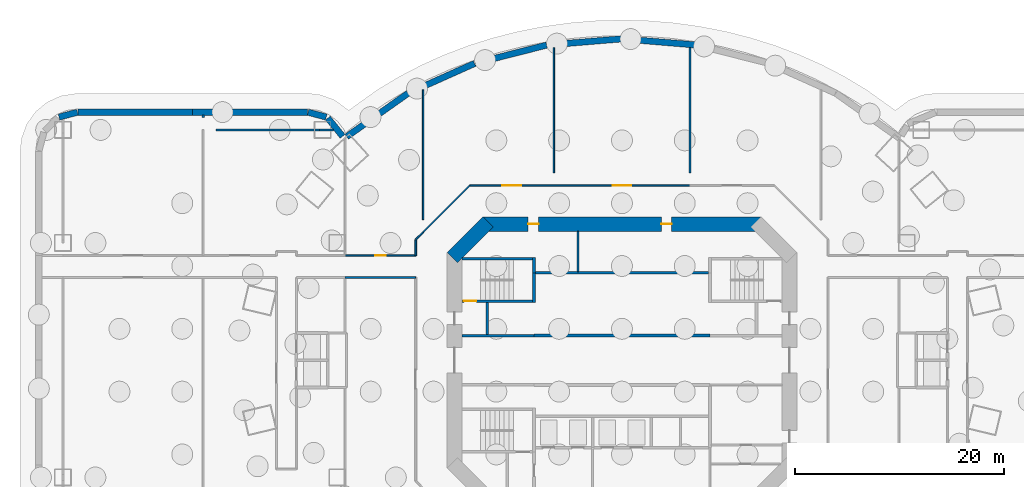
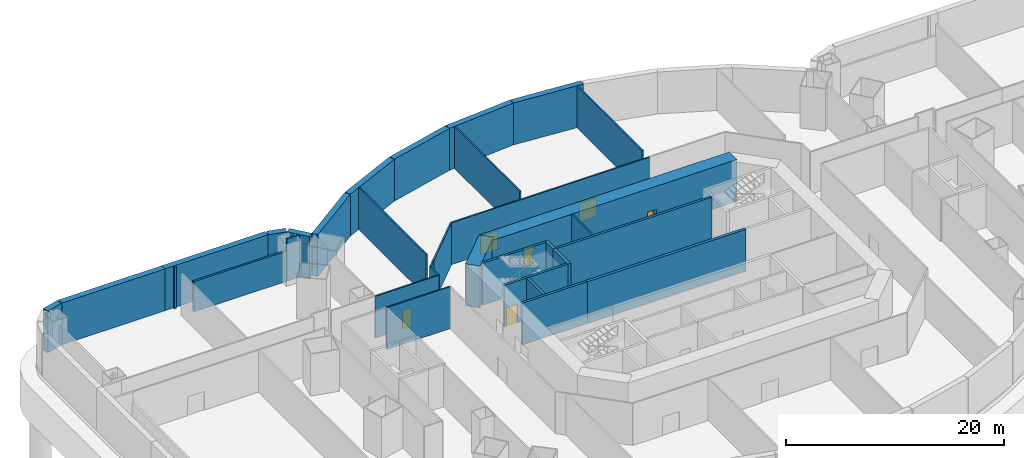
# One storey, part 4 of 9: 33 walls, 6 doors, 6 openings.
"""IFC4 building model written with IfcOpenShell, lengths in metres."""

from ifc_helpers import new_model, si_unit, direction, frame, frame_2d, origin, place, context, subcontext, project, spatial, rectangle, extrude, material, layer, layer_set, type_object, element, fill, save


model = new_model("IFC4")

# Units and contexts
model_context = context("Model", 3, precision=1e-05, world=origin(), true_north=direction((0.0, 1.0)))
body_context = subcontext(model_context, "Body", "Model", "MODEL_VIEW")
ifc_project = project(units=[si_unit("LENGTHUNIT", "METRE"), si_unit("AREAUNIT", "SQUARE_METRE"), si_unit("VOLUMEUNIT", "CUBIC_METRE"), si_unit("PLANEANGLEUNIT", "RADIAN"), si_unit("MASSUNIT", "GRAM", prefix="KILO")], contexts=[model_context])

# Site, building, storey
site_placement = place(None, origin())
site = spatial("IfcSite", under=ifc_project, at=site_placement, CompositionType="ELEMENT")
building_placement = place(site_placement, origin())
building = spatial("IfcBuilding", under=site, at=building_placement, Name="Marenthal Gate Tower", CompositionType="ELEMENT")
storey_placement = place(building_placement, frame((0.0, 0.0, -10.0)))
storey = spatial("IfcBuildingStorey", under=building, at=storey_placement, Name="B2", CompositionType="ELEMENT", Elevation=-10.0)

# Walls
ifc_material_1 = material(Name="Concrete 50 MPa", Category="concrete")
ifc_layer_1 = layer(ifc_material_1, 0.60009765625)
ifc_layer_set_1 = layer_set([ifc_layer_1], Name="BASEMENT WALL 600")
wall_type_1 = type_object("IfcWallType", Name="BASEMENT WALL 600", PredefinedType="SOLIDWALL", material=ifc_layer_set_1)
wall_1_placement = place(storey_placement, frame((7.1455078125, 30.110107421875, 0.0), z_axis=(0.0, 0.0, 1.0), x_axis=(-0.996609324414, 0.082279125491, 0.0)))
element("IfcWall", 1, at=wall_1_placement, inside=storey, type_object=wall_type_1, Name="BW-B2-30", PredefinedType="SOLIDWALL", context=body_context, shape_type="SweptSolid", body=[
    extrude(rectangle(XDim=7.14501953125, YDim=0.60009765625, at=frame_2d((3.572509765625, 0.0))), origin(), (0.0, 0.0, 1.0), 4.699951171875),
])
wall_2_placement = place(storey_placement, frame((-0.02294921875, 30.697998046875, 0.0), z_axis=(0.0, 0.0, 1.0), x_axis=(-0.99661235683, -0.082242386961, 0.0)))
element("IfcWall", 2, at=wall_2_placement, inside=storey, type_object=wall_type_1, Name="BW-B2-31", PredefinedType="SOLIDWALL", context=body_context, shape_type="SweptSolid", body=[
    extrude(rectangle(XDim=7.145263671875, YDim=0.60009765625, at=frame_2d((3.57275390625, 0.0))), origin(), (0.0, 0.0, 1.0), 4.699951171875),
])
wall_3_placement = place(storey_placement, frame((-7.191650390625, 30.1025390625, 0.0), z_axis=(0.0, 0.0, 1.0), x_axis=(-0.96919567172, -0.246292001332, 0.0)))
element("IfcWall", 3, at=wall_3_placement, inside=storey, type_object=wall_type_1, Name="BW-B2-32", PredefinedType="SOLIDWALL", context=body_context, shape_type="SweptSolid", body=[
    extrude(rectangle(XDim=7.061767578125, YDim=0.60009765625, at=frame_2d((3.53076171875, 0.0))), origin(), (0.0, 0.0, 1.0), 4.699951171875),
])
wall_4_placement = place(storey_placement, frame((-14.0830078125, 28.346923828125, 0.0), z_axis=(0.0, 0.0, 1.0), x_axis=(-0.912658583427, -0.40872277903, 0.0)))
element("IfcWall", 4, at=wall_4_placement, inside=storey, type_object=wall_type_1, Name="BW-B2-33", PredefinedType="SOLIDWALL", context=body_context, shape_type="SweptSolid", body=[
    extrude(rectangle(XDim=6.902587890625, YDim=0.60009765625, at=frame_2d((3.451171875, 0.0))), origin(), (0.0, 0.0, 1.0), 4.699951171875),
])
wall_5_placement = place(storey_placement, frame((-20.431884765625, 25.497802734375, 0.0), z_axis=(0.0, 0.0, 1.0), x_axis=(-0.816770877084, -0.576962160238, 0.0)))
element("IfcWall", 5, at=wall_5_placement, inside=storey, type_object=wall_type_1, Name="BW-B2-34", PredefinedType="SOLIDWALL", context=body_context, shape_type="SweptSolid", body=[
    extrude(rectangle(XDim=7.180419921875, YDim=0.60009765625, at=frame_2d((3.59033203125, 0.0))), origin(), (0.0, 0.0, 1.0), 4.699951171875),
])
wall_6_placement = place(storey_placement, frame((-26.683349609375, 21.38720703125, 0.0), z_axis=(0.0, 0.0, 1.0), x_axis=(-0.62890612744, 0.777481242776, 0.0)))
element("IfcWall", 6, at=wall_6_placement, inside=storey, type_object=wall_type_1, Name="BW-B2-35", PredefinedType="SOLIDWALL", context=body_context, shape_type="SweptSolid", body=[
    extrude(rectangle(XDim=2.236328125, YDim=0.60009765625, at=frame_2d((1.1181640625, 0.0))), origin(), (0.0, 0.0, 1.0), 4.699951171875),
])
wall_7_placement = place(storey_placement, frame((-28.243408203125, 23.2265625, 0.0), z_axis=(0.0, 0.0, 1.0), x_axis=(-0.966257460443, 0.257578182573, 0.0)))
element("IfcWall", 7, at=wall_7_placement, inside=storey, type_object=wall_type_1, Name="BW-B2-36", PredefinedType="SOLIDWALL", context=body_context, shape_type="SweptSolid", body=[
    extrude(rectangle(XDim=1.799072265625, YDim=0.60009765625, at=frame_2d((0.8994140625, 0.0))), origin(), (0.0, 0.0, 1.0), 4.699951171875),
])
wall_8_placement = place(storey_placement, frame((-30.05712890625, 23.699951171875, 0.0), z_axis=(0.0, 0.0, 1.0), x_axis=(-1.0, 0.0, 0.0)))
element("IfcWall", 8, at=wall_8_placement, inside=storey, type_object=wall_type_1, Name="BW-B2-37", PredefinedType="SOLIDWALL", context=body_context, shape_type="SweptSolid", body=[
    extrude(rectangle(XDim=10.94287109375, YDim=0.60009765625, at=frame_2d((5.471435546875, 0.0))), origin(), (0.0, 0.0, 1.0), 4.699951171875),
])
wall_9_placement = place(storey_placement, frame((-41.00048828125, 23.699951171875, 0.0), z_axis=(0.0, 0.0, 1.0), x_axis=(-1.0, 0.0, 0.0)))
element("IfcWall", 9, at=wall_9_placement, inside=storey, type_object=wall_type_1, Name="BW-B2-38", PredefinedType="SOLIDWALL", context=body_context, shape_type="SweptSolid", body=[
    extrude(rectangle(XDim=10.9404296875, YDim=0.60009765625, at=frame_2d((5.47021484375, 0.0))), origin(), (0.0, 0.0, 1.0), 4.699951171875),
])
wall_10_placement = place(storey_placement, frame((-52.0166015625, 23.690185546875, 0.0), z_axis=(0.0, 0.0, 1.0), x_axis=(-0.966301872336, -0.257411521733, 0.0)))
element("IfcWall", 10, at=wall_10_placement, inside=storey, type_object=wall_type_1, Name="BW-B2-39", PredefinedType="SOLIDWALL", context=body_context, shape_type="SweptSolid", body=[
    extrude(rectangle(XDim=1.8154296875, YDim=0.60009765625, at=frame_2d((0.90771484375, 0.0))), origin(), (0.0, 0.0, 1.0), 4.699951171875),
])

# Wall, openings, doors
ifc_material_2 = material(Name="Concrete 60 MPa", Category="concrete")
ifc_layer_2 = layer(ifc_material_2, 1.39990234375)
ifc_layer_set_2 = layer_set([ifc_layer_2], Name="Core shear wall 1400")
wall_type_2 = type_object("IfcWallType", Name="Core shear wall 1400", PredefinedType="SHEAR", material=ifc_layer_set_2)
wall_11_placement = place(storey_placement, frame((13.289794921875, 13.0, 0.0), z_axis=(0.0, 0.0, 1.0), x_axis=(-1.0, 0.0, 0.0)))
wall_11 = element("IfcWall", 11, at=wall_11_placement, inside=storey, type_object=wall_type_2, Name="Core wall 04", PredefinedType="SHEAR", context=body_context, shape_type="SweptSolid", body=[
    extrude(rectangle(XDim=26.57958984375, YDim=1.39990234375, at=frame_2d((13.289794921875, 0.0))), origin(), (0.0, 0.0, 1.0), 4.699951171875),
])
opening_1_placement = place(wall_11_placement, frame((21.2451171875, 0.0, 0.0)))
opening_1 = element("IfcOpeningElement", 12, at=opening_1_placement, cuts=wall_11, Name="Opening D005.01", PredefinedType="OPENING", context=body_context, shape_type="SweptSolid", body=[
    extrude(rectangle(XDim=1.0, YDim=2.10009765625, at=frame_2d((0.5, 1.050048828125))), frame((0.0, 0.7099609375, 0.0), z_axis=(0.0, -1.0, 0.0), x_axis=(1.0, 0.0, 0.0)), (0.0, 0.0, 1.0), 1.419921875),
])
opening_2_placement = place(wall_11_placement, frame((8.53466796875, 0.0, 0.0)))
opening_2 = element("IfcOpeningElement", 13, at=opening_2_placement, cuts=wall_11, Name="Opening D005.02", PredefinedType="OPENING", context=body_context, shape_type="SweptSolid", body=[
    extrude(rectangle(XDim=1.0, YDim=2.10009765625, at=frame_2d((0.5, 1.050048828125))), frame((0.0, 0.7099609375, 0.0), z_axis=(0.0, -1.0, 0.0), x_axis=(1.0, 0.0, 0.0)), (0.0, 0.0, 1.0), 1.419921875),
])
ifc_material_3 = material(Name="Steel fire door", Category="steel")
door_type_1 = type_object("IfcDoorType", Name="Fire door FD 45 1000 x 2100", OperationType="NOTDEFINED", PredefinedType="DOOR", material=ifc_material_3)
door_1_placement = place(opening_1_placement, origin())
door_1 = element("IfcDoor", 14, at=door_1_placement, inside=storey, type_object=door_type_1, Name="Door D005.01", OperationType="SINGLE_SWING_RIGHT", OverallHeight=2.10009765625, OverallWidth=1.0, PredefinedType="DOOR", context=body_context, shape_type="SweptSolid", body=[
    extrude(rectangle(XDim=1.0, YDim=2.10009765625, at=frame_2d((0.5, 1.050048828125))), frame((0.0, 0.02490234375, 0.0), z_axis=(0.0, -1.0, 0.0), x_axis=(1.0, 0.0, 0.0)), (0.0, 0.0, 1.0), 0.050048828125),
])
fill(opening_1, door_1)
door_2_placement = place(opening_2_placement, origin())
door_2 = element("IfcDoor", 15, at=door_2_placement, inside=storey, type_object=door_type_1, Name="Door D005.02", OperationType="SINGLE_SWING_RIGHT", OverallHeight=2.10009765625, OverallWidth=1.0, PredefinedType="DOOR", context=body_context, shape_type="SweptSolid", body=[
    extrude(rectangle(XDim=1.0, YDim=2.10009765625, at=frame_2d((0.5, 1.050048828125))), frame((0.0, 0.02490234375, 0.0), z_axis=(0.0, -1.0, 0.0), x_axis=(1.0, 0.0, 0.0)), (0.0, 0.0, 1.0), 0.050048828125),
])
fill(opening_2, door_2)

# Walls
wall_12_placement = place(storey_placement, frame((-12.794921875, 13.205078125, 0.0), z_axis=(0.0, 0.0, 1.0), x_axis=(-0.707106781187, -0.707106781187, 0.0)))
element("IfcWall", 16, at=wall_12_placement, inside=storey, type_object=wall_type_2, Name="Core wall 05", PredefinedType="SHEAR", context=body_context, shape_type="SweptSolid", body=[
    extrude(rectangle(XDim=4.82275390625, YDim=1.39990234375, at=frame_2d((2.411376953125, 0.0))), origin(), (0.0, 0.0, 1.0), 4.699951171875),
])
ifc_material_4 = material(Name="Concrete 50 MPa", Category="concrete")
ifc_layer_3 = layer(ifc_material_4, 0.300048828125)
ifc_layer_set_3 = layer_set([ifc_layer_3], Name="Hoistway shear wall 300")
wall_type_3 = type_object("IfcWallType", Name="Hoistway shear wall 300", PredefinedType="SHEAR", material=ifc_layer_set_3)
wall_13_placement = place(storey_placement, frame((-8.39990234375, 2.35009765625, 0.0), z_axis=(0.0, 0.0, 1.0), x_axis=(1.0, 0.0, 0.0)))
element("IfcWall", 17, at=wall_13_placement, inside=storey, type_object=wall_type_3, Name="Hoistway wall 20", PredefinedType="SHEAR", context=body_context, shape_type="SweptSolid", body=[
    extrude(rectangle(XDim=16.7998046875, YDim=0.300048828125, at=frame_2d((8.39990234375, 0.0))), origin(), (0.0, 0.0, 1.0), 4.699951171875),
])
wall_14_placement = place(storey_placement, frame((-8.39990234375, 5.52490234375, 0.0), z_axis=(0.0, 0.0, 1.0), x_axis=(0.0, 1.0, 0.0)))
element("IfcWall", 18, at=wall_14_placement, inside=storey, type_object=wall_type_3, Name="Hoistway wall 31", PredefinedType="SHEAR", context=body_context, shape_type="SweptSolid", body=[
    extrude(rectangle(XDim=2.8251953125, YDim=0.300048828125, at=frame_2d((1.41259765625, 0.0))), origin(), (0.0, 0.0, 1.0), 4.699951171875),
])
ifc_material_5 = material(Name="Gypsum board on steel studs", Category="steel")
ifc_layer_4 = layer(ifc_material_5, 0.14990234375)
ifc_layer_set_4 = layer_set([ifc_layer_4], Name="Partition 150")
wall_type_4 = type_object("IfcWallType", Name="Partition 150", PredefinedType="PARTITIONING", material=ifc_layer_set_4)
wall_15_placement = place(storey_placement, frame((-4.199951171875, 8.47509765625, 0.0), z_axis=(0.0, 0.0, 1.0), x_axis=(0.0, 1.0, 0.0)))
element("IfcWall", 19, at=wall_15_placement, inside=storey, type_object=wall_type_4, Name="Partition wall 33", PredefinedType="PARTITIONING", context=body_context, shape_type="SweptSolid", body=[
    extrude(rectangle(XDim=3.824951171875, YDim=0.14990234375, at=frame_2d((1.91259765625, 0.0))), origin(), (0.0, 0.0, 1.0), 4.699951171875),
])
wall_16_placement = place(storey_placement, frame((-26.455078125, 7.89990234375, 0.0), z_axis=(0.0, 0.0, 1.0), x_axis=(1.0, 0.0, 0.0)))
element("IfcWall", 20, at=wall_16_placement, inside=storey, type_object=wall_type_4, Name="Partition wall 54", PredefinedType="PARTITIONING", context=body_context, shape_type="SweptSolid", body=[
    extrude(rectangle(XDim=6.755126953125, YDim=0.14990234375, at=frame_2d((3.37744140625, 0.0))), origin(), (0.0, 0.0, 1.0), 4.699951171875),
])

# Wall, opening, door
wall_17_placement = place(storey_placement, frame((-26.455078125, 10.0, 0.0), z_axis=(0.0, 0.0, 1.0), x_axis=(1.0, 0.0, 0.0)))
wall_17 = element("IfcWall", 21, at=wall_17_placement, inside=storey, type_object=wall_type_4, Name="Partition wall 56", PredefinedType="PARTITIONING", context=body_context, shape_type="SweptSolid", body=[
    extrude(rectangle(XDim=6.755126953125, YDim=0.14990234375, at=frame_2d((3.37744140625, 0.0))), origin(), (0.0, 0.0, 1.0), 4.699951171875),
])
opening_3_placement = place(wall_17_placement, frame((2.8798828125, 0.0, 0.0)))
opening_3 = element("IfcOpeningElement", 22, at=opening_3_placement, cuts=wall_17, Name="Opening D009.01", PredefinedType="OPENING", context=body_context, shape_type="SweptSolid", body=[
    extrude(rectangle(XDim=1.0, YDim=2.10009765625, at=frame_2d((0.5, 1.050048828125))), frame((0.0, 0.0849609375, 0.0), z_axis=(0.0, -1.0, 0.0), x_axis=(1.0, 0.0, 0.0)), (0.0, 0.0, 1.0), 0.169921875),
])
ifc_material_6 = material(Name="Steel fire door", Category="steel")
door_type_2 = type_object("IfcDoorType", Name="Fire door FD 90 1000 x 2100", OperationType="NOTDEFINED", PredefinedType="DOOR", material=ifc_material_6)
door_3_placement = place(opening_3_placement, origin())
door_3 = element("IfcDoor", 23, at=door_3_placement, inside=storey, type_object=door_type_2, Name="Door D009.01", OperationType="SINGLE_SWING_RIGHT", OverallHeight=2.10009765625, OverallWidth=1.0, PredefinedType="DOOR", context=body_context, shape_type="SweptSolid", body=[
    extrude(rectangle(XDim=1.0, YDim=2.10009765625, at=frame_2d((0.5, 1.050048828125))), frame((0.0, 0.02490234375, 0.0), z_axis=(0.0, -1.0, 0.0), x_axis=(1.0, 0.0, 0.0)), (0.0, 0.0, 1.0), 0.050048828125),
])
fill(opening_3, door_3)

# Walls
wall_18_placement = place(storey_placement, frame((-19.699951171875, 11.532470703125, 0.0), z_axis=(0.0, 0.0, 1.0), x_axis=(0.706984327855, 0.707229213316, 0.0)))
element("IfcWall", 24, at=wall_18_placement, inside=storey, type_object=wall_type_4, Name="Partition wall 61", PredefinedType="PARTITIONING", context=body_context, shape_type="SweptSolid", body=[
    extrude(rectangle(XDim=0.9970703125, YDim=0.14990234375, at=frame_2d((0.49853515625, 0.0))), origin(), (0.0, 0.0, 1.0), 4.699951171875),
])
wall_19_placement = place(storey_placement, frame((6.5, 17.89990234375, 0.0), z_axis=(0.0, 0.0, 1.0), x_axis=(0.0, 1.0, 0.0)))
element("IfcWall", 25, at=wall_19_placement, inside=storey, type_object=wall_type_4, Name="Partition wall 72", PredefinedType="PARTITIONING", context=body_context, shape_type="SweptSolid", body=[
    extrude(rectangle(XDim=11.97119140625, YDim=0.14990234375, at=frame_2d((5.985595703125, 0.0))), origin(), (0.0, 0.0, 1.0), 4.699951171875),
])
wall_20_placement = place(storey_placement, frame((-19.0, 13.4326171875, 0.0), z_axis=(0.0, 0.0, 1.0), x_axis=(0.0, 1.0, 0.0)))
element("IfcWall", 26, at=wall_20_placement, inside=storey, type_object=wall_type_4, Name="Partition wall 74", PredefinedType="PARTITIONING", context=body_context, shape_type="SweptSolid", body=[
    extrude(rectangle(XDim=12.402587890625, YDim=0.14990234375, at=frame_2d((6.201171875, 0.0))), origin(), (0.0, 0.0, 1.0), 4.699951171875),
])
wall_21_placement = place(storey_placement, frame((-19.699951171875, 9.9951171875, 0.0), z_axis=(0.0, 0.0, 1.0), x_axis=(0.0, 1.0, 0.0)))
element("IfcWall", 27, at=wall_21_placement, inside=storey, type_object=wall_type_4, Name="Partition wall 76", PredefinedType="PARTITIONING", context=body_context, shape_type="SweptSolid", body=[
    extrude(rectangle(XDim=1.537353515625, YDim=0.14990234375, at=frame_2d((0.7685546875, 0.0))), origin(), (0.0, 0.0, 1.0), 4.699951171875),
])

# Wall, openings, doors
wall_22_placement = place(storey_placement, frame((-14.532470703125, 16.699951171875, 0.0), z_axis=(0.0, 0.0, 1.0), x_axis=(1.0, 0.0, 0.0)))
wall_22 = element("IfcWall", 28, at=wall_22_placement, inside=storey, type_object=wall_type_4, Name="Partition wall 90", PredefinedType="PARTITIONING", context=body_context, shape_type="SweptSolid", body=[
    extrude(rectangle(XDim=21.037353515625, YDim=0.14990234375, at=frame_2d((10.5185546875, 0.0))), origin(), (0.0, 0.0, 1.0), 4.699951171875),
])
opening_4_placement = place(wall_22_placement, frame((3.1162109375, 0.0, 0.0)))
opening_4 = element("IfcOpeningElement", 29, at=opening_4_placement, cuts=wall_22, Name="Opening D007.10", PredefinedType="OPENING", context=body_context, shape_type="SweptSolid", body=[
    extrude(rectangle(XDim=1.800048828125, YDim=2.10009765625, at=frame_2d((0.89990234375, 1.050048828125))), frame((0.0, 0.0849609375, 0.0), z_axis=(0.0, -1.0, 0.0), x_axis=(1.0, 0.0, 0.0)), (0.0, 0.0, 1.0), 0.169921875),
])
opening_5_placement = place(wall_22_placement, frame((13.632568359375, 0.0, 0.0)))
opening_5 = element("IfcOpeningElement", 30, at=opening_5_placement, cuts=wall_22, Name="Opening D007.11", PredefinedType="OPENING", context=body_context, shape_type="SweptSolid", body=[
    extrude(rectangle(XDim=1.800048828125, YDim=2.10009765625, at=frame_2d((0.89990234375, 1.050048828125))), frame((0.0, 0.0849609375, 0.0), z_axis=(0.0, -1.0, 0.0), x_axis=(1.0, 0.0, 0.0)), (0.0, 0.0, 1.0), 0.169921875),
])
ifc_material_7 = material(Name="Steel fire door", Category="steel")
door_type_3 = type_object("IfcDoorType", Name="Double fire door FD 45 1800 x 2100", OperationType="DOUBLE_DOOR_SINGLE_SWING", PredefinedType="DOOR", material=ifc_material_7)
door_4_placement = place(opening_4_placement, origin())
door_4 = element("IfcDoor", 31, at=door_4_placement, inside=storey, type_object=door_type_3, Name="Door D007.10", OperationType="DOUBLE_DOOR_SINGLE_SWING", OverallHeight=2.10009765625, OverallWidth=1.800048828125, PredefinedType="DOOR", context=body_context, shape_type="SweptSolid", body=[
    extrude(rectangle(XDim=1.800048828125, YDim=2.10009765625, at=frame_2d((0.89990234375, 1.050048828125))), frame((0.0, 0.02490234375, 0.0), z_axis=(0.0, -1.0, 0.0), x_axis=(1.0, 0.0, 0.0)), (0.0, 0.0, 1.0), 0.050048828125),
])
fill(opening_4, door_4)
door_5_placement = place(opening_5_placement, origin())
door_5 = element("IfcDoor", 32, at=door_5_placement, inside=storey, type_object=door_type_3, Name="Door D007.11", OperationType="DOUBLE_DOOR_SINGLE_SWING", OverallHeight=2.10009765625, OverallWidth=1.800048828125, PredefinedType="DOOR", context=body_context, shape_type="SweptSolid", body=[
    extrude(rectangle(XDim=1.800048828125, YDim=2.10009765625, at=frame_2d((0.89990234375, 1.050048828125))), frame((0.0, 0.02490234375, 0.0), z_axis=(0.0, -1.0, 0.0), x_axis=(1.0, 0.0, 0.0)), (0.0, 0.0, 1.0), 0.050048828125),
])
fill(opening_5, door_5)

# Walls
wall_23_placement = place(storey_placement, frame((-19.00341796875, 12.22900390625, 0.0), z_axis=(0.0, 0.0, 1.0), x_axis=(0.707106781187, 0.707106781187, 0.0)))
element("IfcWall", 33, at=wall_23_placement, inside=storey, type_object=wall_type_4, Name="Partition wall 92", PredefinedType="PARTITIONING", context=body_context, shape_type="SweptSolid", body=[
    extrude(rectangle(XDim=6.32275390625, YDim=0.14990234375, at=frame_2d((3.161376953125, 0.0))), origin(), (0.0, 0.0, 1.0), 4.699951171875),
])
wall_24_placement = place(storey_placement, frame((-6.5, 17.89990234375, 0.0), z_axis=(0.0, 0.0, 1.0), x_axis=(0.0, 1.0, 0.0)))
element("IfcWall", 34, at=wall_24_placement, inside=storey, type_object=wall_type_4, Name="Partition wall 97", PredefinedType="PARTITIONING", context=body_context, shape_type="SweptSolid", body=[
    extrude(rectangle(XDim=11.97119140625, YDim=0.14990234375, at=frame_2d((5.985595703125, 0.0))), origin(), (0.0, 0.0, 1.0), 4.699951171875),
])
ifc_material_8 = material(Name="Gypsum board on steel studs", Category="steel")
ifc_layer_5 = layer(ifc_material_8, 0.199951171875)
ifc_layer_set_5 = layer_set([ifc_layer_5], Name="Partition 200")
wall_type_5 = type_object("IfcWallType", Name="Partition 200", PredefinedType="PARTITIONING", material=ifc_layer_set_5)
wall_25_placement = place(storey_placement, frame((-38.800048828125, 22.0, 0.0), z_axis=(0.0, 0.0, 1.0), x_axis=(1.0, 0.0, 0.0)))
element("IfcWall", 35, at=wall_25_placement, inside=storey, type_object=wall_type_5, Name="Partition wall 17", PredefinedType="PARTITIONING", context=body_context, shape_type="SweptSolid", body=[
    extrude(rectangle(XDim=9.900146484375, YDim=0.199951171875, at=frame_2d((4.9501953125, 0.0))), origin(), (0.0, 0.0, 1.0), 3.39990234375),
])
wall_26_placement = place(storey_placement, frame((-28.89990234375, 22.0, 0.0), z_axis=(0.0, 0.0, 1.0), x_axis=(1.0, 0.0, 0.0)))
element("IfcWall", 36, at=wall_26_placement, inside=storey, type_object=wall_type_5, Name="Partition wall 135", PredefinedType="PARTITIONING", context=body_context, shape_type="SweptSolid", body=[
    extrude(rectangle(XDim=1.327880859375, YDim=0.199951171875, at=frame_2d((0.6640625, 0.0))), origin(), (0.0, 0.0, 1.0), 4.699951171875),
])
wall_27_placement = place(storey_placement, frame((-40.0, 23.195068359375, 0.0), z_axis=(0.0, 0.0, 1.0), x_axis=(0.0, 1.0, 0.0)))
element("IfcWall", 37, at=wall_27_placement, inside=storey, type_object=wall_type_5, Name="Partition wall 30", PredefinedType="PARTITIONING", context=body_context, shape_type="SweptSolid", body=[
    extrude(rectangle(XDim=0.21484375, YDim=0.199951171875, at=frame_2d((0.107421875, 0.0))), origin(), (0.0, 0.0, 1.0), 4.699951171875),
])
ifc_material_9 = material(Name="Concrete 40 MPa", Category="concrete")
ifc_layer_6 = layer(ifc_material_9, 0.25)
ifc_layer_set_6 = layer_set([ifc_layer_6], Name="Stair enclosure wall 250")
wall_type_6 = type_object("IfcWallType", Name="Stair enclosure wall 250", PredefinedType="STANDARD", material=ifc_layer_set_6)
wall_28_placement = place(storey_placement, frame((-15.300048828125, 2.35009765625, 0.0), z_axis=(0.0, 0.0, 1.0), x_axis=(1.0, 0.0, 0.0)))
element("IfcWall", 38, at=wall_28_placement, inside=storey, type_object=wall_type_6, Name="Stair wall 19", PredefinedType="STANDARD", context=body_context, shape_type="SweptSolid", body=[
    extrude(rectangle(XDim=6.900146484375, YDim=0.25, at=frame_2d((3.4501953125, 0.0))), origin(), (0.0, 0.0, 1.0), 4.699951171875),
])
wall_29_placement = place(storey_placement, frame((-8.25, 8.35009765625, 0.0), z_axis=(0.0, 0.0, 1.0), x_axis=(1.0, 0.0, 0.0)))
element("IfcWall", 39, at=wall_29_placement, inside=storey, type_object=wall_type_6, Name="Stair wall 24", PredefinedType="STANDARD", context=body_context, shape_type="SweptSolid", body=[
    extrude(rectangle(XDim=16.5, YDim=0.25, at=frame_2d((8.25, 0.0))), origin(), (0.0, 0.0, 1.0), 4.699951171875),
])
wall_30_placement = place(storey_placement, frame((-12.85009765625, 2.47509765625, 0.0), z_axis=(0.0, 0.0, 1.0), x_axis=(0.0, 1.0, 0.0)))
element("IfcWall", 40, at=wall_30_placement, inside=storey, type_object=wall_type_6, Name="Stair wall 27", PredefinedType="STANDARD", context=body_context, shape_type="SweptSolid", body=[
    extrude(rectangle(XDim=3.0498046875, YDim=0.25, at=frame_2d((1.52490234375, 0.0))), origin(), (0.0, 0.0, 1.0), 4.699951171875),
])

# Wall, opening, door
ifc_material_10 = material(Name="Concrete 50 MPa", Category="concrete")
ifc_layer_7 = layer(ifc_material_10, 0.25)
ifc_layer_set_7 = layer_set([ifc_layer_7], Name="Stair shear wall 250")
wall_type_7 = type_object("IfcWallType", Name="Stair shear wall 250", PredefinedType="SHEAR", material=ifc_layer_set_7)
wall_31_placement = place(storey_placement, frame((-15.300048828125, 5.64990234375, 0.0), z_axis=(0.0, 0.0, 1.0), x_axis=(1.0, 0.0, 0.0)))
wall_31 = element("IfcWall", 41, at=wall_31_placement, inside=storey, type_object=wall_type_7, Name="Stair wall 22", PredefinedType="SHEAR", context=body_context, shape_type="SweptSolid", body=[
    extrude(rectangle(XDim=6.75, YDim=0.25, at=frame_2d((3.375, 0.0))), origin(), (0.0, 0.0, 1.0), 4.699951171875),
])
opening_6_placement = place(wall_31_placement, frame((0.199951171875, 0.0, 0.0)))
opening_6 = element("IfcOpeningElement", 42, at=opening_6_placement, cuts=wall_31, Name="Opening D001.01", PredefinedType="OPENING", context=body_context, shape_type="SweptSolid", body=[
    extrude(rectangle(XDim=1.199951171875, YDim=2.10009765625, at=frame_2d((0.60009765625, 1.050048828125))), frame((0.0, 0.135009765625, 0.0), z_axis=(0.0, -1.0, 0.0), x_axis=(1.0, 0.0, 0.0)), (0.0, 0.0, 1.0), 0.27001953125),
])
ifc_material_11 = material(Name="Steel fire door", Category="steel")
door_type_4 = type_object("IfcDoorType", Name="Fire door FD 90 1200 x 2100", OperationType="NOTDEFINED", PredefinedType="DOOR", material=ifc_material_11)
door_6_placement = place(opening_6_placement, origin())
door_6 = element("IfcDoor", 43, at=door_6_placement, inside=storey, type_object=door_type_4, Name="Door D001.01", OperationType="SINGLE_SWING_RIGHT", OverallHeight=2.10009765625, OverallWidth=1.199951171875, PredefinedType="DOOR", context=body_context, shape_type="SweptSolid", body=[
    extrude(rectangle(XDim=1.199951171875, YDim=2.10009765625, at=frame_2d((0.60009765625, 1.050048828125))), frame((0.0, 0.02490234375, 0.0), z_axis=(0.0, -1.0, 0.0), x_axis=(1.0, 0.0, 0.0)), (0.0, 0.0, 1.0), 0.050048828125),
])
fill(opening_6, door_6)

# Walls
wall_32_placement = place(storey_placement, frame((-15.300048828125, 9.699951171875, 0.0), z_axis=(0.0, 0.0, 1.0), x_axis=(1.0, 0.0, 0.0)))
element("IfcWall", 44, at=wall_32_placement, inside=storey, type_object=wall_type_7, Name="Stair wall 25", PredefinedType="SHEAR", context=body_context, shape_type="SweptSolid", body=[
    extrude(rectangle(XDim=6.75, YDim=0.25, at=frame_2d((3.375, 0.0))), origin(), (0.0, 0.0, 1.0), 4.699951171875),
])
ifc_material_12 = material(Name="Concrete 50 MPa", Category="concrete")
ifc_layer_8 = layer(ifc_material_12, 0.300048828125)
ifc_layer_set_8 = layer_set([ifc_layer_8], Name="Stair shear wall 300")
wall_type_8 = type_object("IfcWallType", Name="Stair shear wall 300", PredefinedType="SHEAR", material=ifc_layer_set_8)
wall_33_placement = place(storey_placement, frame((-8.39990234375, 8.35009765625, 0.0), z_axis=(0.0, 0.0, 1.0), x_axis=(0.0, 1.0, 0.0)))
element("IfcWall", 45, at=wall_33_placement, inside=storey, type_object=wall_type_8, Name="Stair wall 32", PredefinedType="SHEAR", context=body_context, shape_type="SweptSolid", body=[
    extrude(rectangle(XDim=1.474853515625, YDim=0.300048828125, at=frame_2d((0.7373046875, 0.0))), origin(), (0.0, 0.0, 1.0), 4.699951171875),
])

save(model, "model.ifc")
